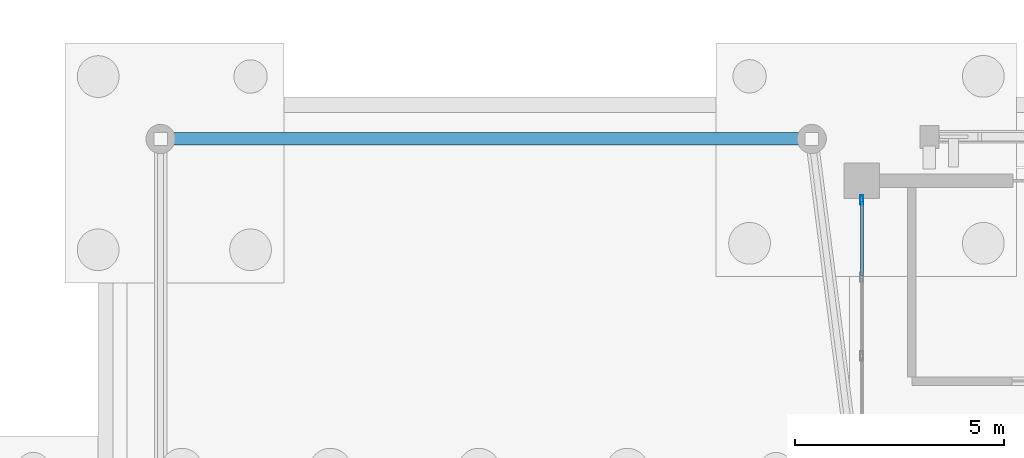
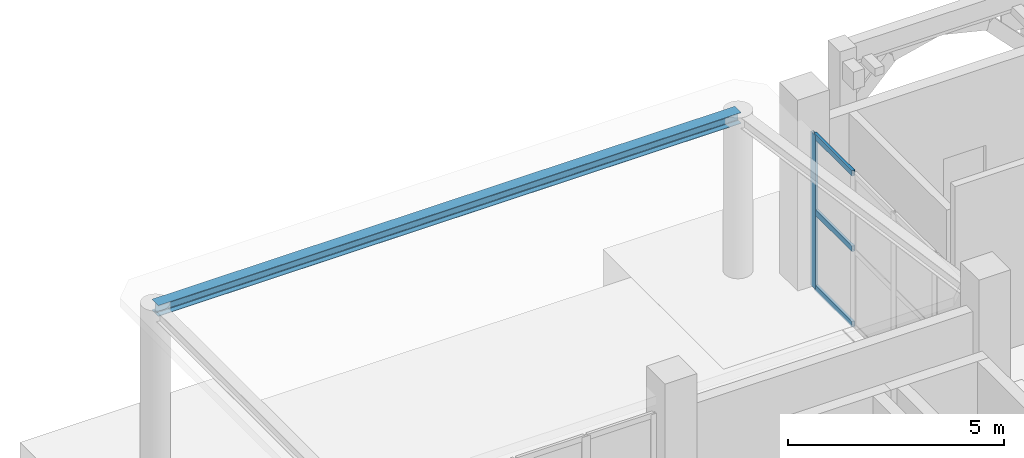
# One storey, part 33 of 98: 4 members, 1 beam, 1 element without a shape of its own.
"""IFC4 building model written with IfcOpenShell, lengths in metres."""

from ifc_helpers import new_model, si_unit, direction, frame, origin, origin_2d, place, context, subcontext, project, spatial, hollow_rectangle, i_section, extrude, material, layer, layer_set, material_profile, profile_set, type_object, element, aggregate, save


model = new_model("IFC4")

# Units and contexts
model_context = context("Model", 3, precision=1e-05, world=origin(), true_north=direction((0.0, 1.0)))
body_context = subcontext(model_context, "Body", "Model", "MODEL_VIEW")
ifc_project = project(units=[si_unit("LENGTHUNIT", "METRE"), si_unit("AREAUNIT", "SQUARE_METRE"), si_unit("VOLUMEUNIT", "CUBIC_METRE"), si_unit("PLANEANGLEUNIT", "RADIAN"), si_unit("MASSUNIT", "GRAM", prefix="KILO")], contexts=[model_context])

# Site, building, storey
site_placement = place(None, origin())
site = spatial("IfcSite", under=ifc_project, at=site_placement, CompositionType="ELEMENT")
building_placement = place(site_placement, origin())
building = spatial("IfcBuilding", under=site, at=building_placement, Name="Xazarin Passage Department Store", CompositionType="ELEMENT")
storey_placement = place(building_placement, origin())
storey = spatial("IfcBuildingStorey", under=building, at=storey_placement, Name="L00", CompositionType="ELEMENT", Elevation=0.0)

# Curtain wall, members
ifc_material_1 = material(Name="Bronze anodised aluminium", Category="aluminium")
ifc_layer = layer(ifc_material_1, 0.179931640625)
ifc_layer_set = layer_set([ifc_layer], Name="Bronze anodised aluminium")
curtain_wall_type = type_object("IfcCurtainWallType", Name="ARC-CW-VIT1", PredefinedType="NOTDEFINED", material=ifc_layer_set)
curtain_wall_placement = place(storey_placement, origin())
curtain_wall = element("IfcCurtainWall", 1, at=curtain_wall_placement, inside=storey, type_object=curtain_wall_type, Name="L00 V1 Curtain Wall 006", PredefinedType="NOTDEFINED")
ifc_material_profile_1 = material_profile(ifc_material_1, hollow_rectangle(XDim=0.074951171875, YDim=0.219970703125, WallThickness=0.0048828125, at=origin_2d()), Name="ALU 75x220")
ifc_profile_set_1 = profile_set([ifc_material_profile_1], Name="Bronze anodised aluminium")
member_type_1 = type_object("IfcMemberType", Name="ARC-CWM-75x220", PredefinedType="MULLION", material=ifc_profile_set_1)
member_1_placement = place(storey_placement, frame((16.800048828125, 109.53759765625, 0.0), z_axis=(0.0, 0.0, 1.0), x_axis=(-1.0, 0.0, 0.0)))
member_1 = element("IfcMember", 2, at=member_1_placement, type_object=member_type_1, Name="CW1 mullion 5", PredefinedType="MULLION", context=body_context, shape_type="SweptSolid", body=[
    extrude(hollow_rectangle(XDim=0.074951171875, YDim=0.219970703125, WallThickness=0.0048828125, at=origin_2d()), origin(), (0.0, 0.0, 1.0), 4.35009765625),
])
ifc_material_profile_2 = material_profile(ifc_material_1, hollow_rectangle(XDim=0.074951171875, YDim=0.159912109375, WallThickness=0.00439453125, at=origin_2d()), Name="ALU 75x160")
ifc_profile_set_2 = profile_set([ifc_material_profile_2], Name="Bronze anodised aluminium")
member_type_2 = type_object("IfcMemberType", Name="ARC-CWT-75x160", PredefinedType="USERDEFINED", material=ifc_profile_set_2)
member_2_placement = place(storey_placement, frame((16.800048828125, 107.72509765625, 0.03759765625), z_axis=(0.0, 1.0, 0.0), x_axis=(-1.0, 0.0, 0.0)))
member_2 = element("IfcMember", 3, at=member_2_placement, type_object=member_type_2, Name="CW1 transom 4.1", ObjectType="TRANSOM", PredefinedType="USERDEFINED", context=body_context, shape_type="SweptSolid", body=[
    extrude(hollow_rectangle(XDim=0.074951171875, YDim=0.159912109375, WallThickness=0.00439453125, at=origin_2d()), origin(), (0.0, 0.0, 1.0), 1.77490234375),
])
member_3_placement = place(storey_placement, frame((16.800048828125, 107.72509765625, 2.175048828125), z_axis=(0.0, 1.0, 0.0), x_axis=(-1.0, 0.0, 0.0)))
member_3 = element("IfcMember", 4, at=member_3_placement, type_object=member_type_2, Name="CW1 transom 4.2", ObjectType="TRANSOM", PredefinedType="USERDEFINED", context=body_context, shape_type="SweptSolid", body=[
    extrude(hollow_rectangle(XDim=0.074951171875, YDim=0.159912109375, WallThickness=0.00439453125, at=origin_2d()), origin(), (0.0, 0.0, 1.0), 1.77490234375),
])
member_4_placement = place(storey_placement, frame((16.800048828125, 107.72509765625, 4.3125), z_axis=(0.0, 1.0, 0.0), x_axis=(-1.0, 0.0, 0.0)))
member_4 = element("IfcMember", 5, at=member_4_placement, type_object=member_type_2, Name="CW1 transom 4.3", ObjectType="TRANSOM", PredefinedType="USERDEFINED", context=body_context, shape_type="SweptSolid", body=[
    extrude(hollow_rectangle(XDim=0.074951171875, YDim=0.159912109375, WallThickness=0.00439453125, at=origin_2d()), origin(), (0.0, 0.0, 1.0), 1.77490234375),
])
aggregate(curtain_wall, [member_1, member_2, member_3, member_4])

# Beam
ifc_material_2 = material(Name="Steel S355", Category="steel")
ifc_material_profile_3 = material_profile(ifc_material_2, i_section(OverallWidth=0.300048828125, OverallDepth=0.31005859375, WebThickness=0.009033203125, FlangeThickness=0.015380859375, FilletRadius=0.027099609375, at=origin_2d()), Name="HEA 320")
ifc_profile_set_3 = profile_set([ifc_material_profile_3], Name="Steel S355")
beam_type = type_object("IfcBeamType", Name="STR-BM-CAN320", PredefinedType="BEAM", material=ifc_profile_set_3)
beam_placement = place(storey_placement, frame((0.0, 111.0, 4.39501953125), z_axis=(1.0, 0.0, 0.0), x_axis=(0.0, 1.0, 0.0)))
element("IfcBeam", 6, at=beam_placement, inside=storey, type_object=beam_type, Name="Entrance Canopy Frame Beam CN1-3", PredefinedType="BEAM", context=body_context, shape_type="SweptSolid", body=[
    extrude(i_section(OverallWidth=0.300048828125, OverallDepth=0.31005859375, WebThickness=0.009033203125, FlangeThickness=0.015380859375, FilletRadius=0.027099609375, at=origin_2d()), origin(), (0.0, 0.0, 1.0), 15.60009765625),
])

save(model, "model.ifc")
